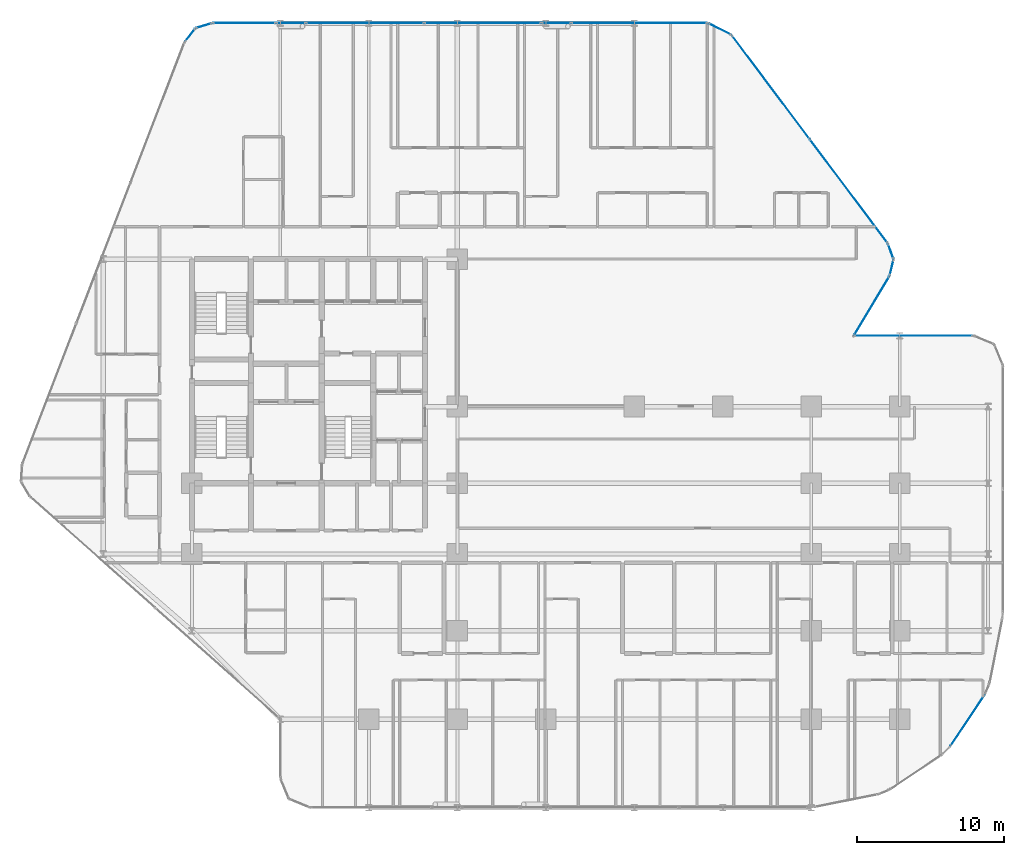
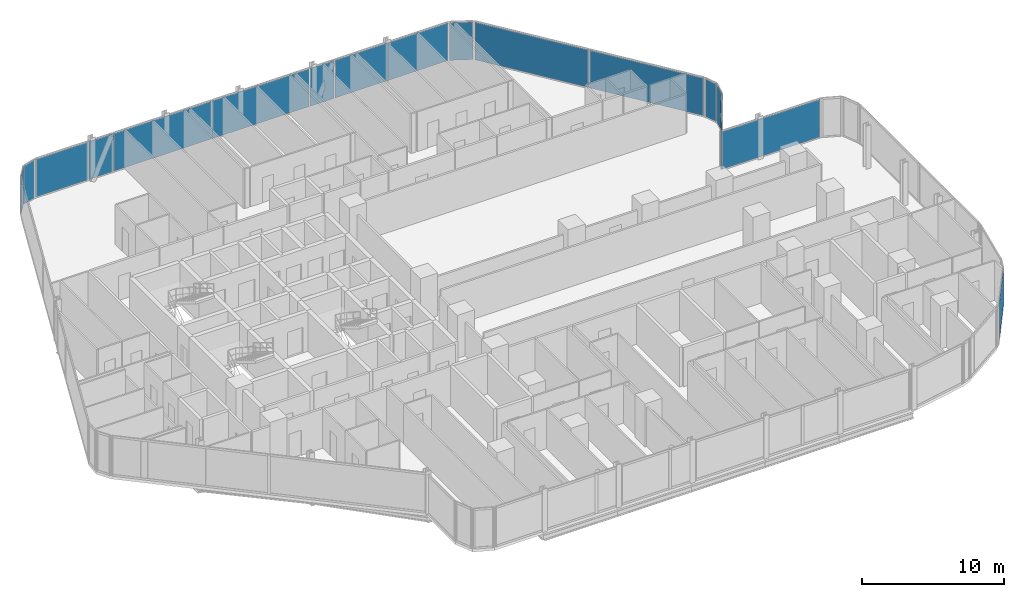
# One storey, part 24 of 33: 16 plates, 14 elements without a shape of their own.
"""IFC4 building model written with IfcOpenShell, lengths in metres."""

from ifc_helpers import new_model, si_unit, direction, frame, origin, origin_2d, place, context, subcontext, project, spatial, rectangle, extrude, material, layer, layer_set, type_object, element, aggregate, save


model = new_model("IFC4")

# Units and contexts
model_context = context("Model", 3, precision=1e-05, world=origin(), true_north=direction((0.0, 1.0)))
body_context = subcontext(model_context, "Body", "Model", "MODEL_VIEW")
ifc_project = project(units=[si_unit("LENGTHUNIT", "METRE"), si_unit("AREAUNIT", "SQUARE_METRE"), si_unit("VOLUMEUNIT", "CUBIC_METRE"), si_unit("PLANEANGLEUNIT", "RADIAN"), si_unit("MASSUNIT", "GRAM", prefix="KILO")], contexts=[model_context])

# Site, building, storey
site_placement = place(None, origin())
site = spatial("IfcSite", under=ifc_project, at=site_placement, CompositionType="ELEMENT")
building_placement = place(site_placement, origin())
building = spatial("IfcBuilding", under=site, at=building_placement, Name="Keshet Zoharim Tower", CompositionType="ELEMENT")
storey_placement = place(building_placement, frame((0.0, 0.0, 27.699951171875)))
storey = spatial("IfcBuildingStorey", under=building, at=storey_placement, Name="L05", CompositionType="ELEMENT", Elevation=27.699951171875)

# Curtain wall, plate
ifc_material_1 = material(Name="Aluminium 6063-T6", Category="aluminium")
ifc_layer_1 = layer(ifc_material_1, 0.179931640625)
ifc_layer_set_1 = layer_set([ifc_layer_1], Name="Aluminium 6063-T6")
curtain_wall_type_1 = type_object("IfcCurtainWallType", Name="CW-SYS-01", PredefinedType="NOTDEFINED", material=ifc_layer_set_1)
curtain_wall_1_placement = place(storey_placement, origin())
curtain_wall_1 = element("IfcCurtainWall", 1, at=curtain_wall_1_placement, inside=storey, type_object=curtain_wall_type_1, Name="L05 Unitised Curtain Wall 05", PredefinedType="NOTDEFINED")
ifc_material_2 = material(Name="Insulated Low-E Clear Glass", Category="glass")
ifc_layer_2 = layer(ifc_material_2, 0.035888671875)
ifc_layer_set_2 = layer_set([ifc_layer_2], Name="Insulated Low-E Clear Glass")
plate_type_1 = type_object("IfcPlateType", Name="CWP-01", PredefinedType="CURTAIN_PANEL", material=ifc_layer_set_2)
plate_1_placement = place(storey_placement, frame((14.8740234375, 53.08349609375, 0.070068359375), z_axis=(0.0, 0.0, 1.0), x_axis=(0.619124525989, 0.785292825205, 0.0)))
plate_1 = element("IfcPlate", 2, at=plate_1_placement, type_object=plate_type_1, Name="CW-01 panel 1.1", PredefinedType="CURTAIN_PANEL", context=body_context, shape_type="SweptSolid", body=[
    extrude(rectangle(XDim=1.045654296875, YDim=0.035888671875, at=origin_2d()), origin(), (0.0, 0.0, 1.0), 3.2451171875),
])
aggregate(curtain_wall_1, [plate_1])

curtain_wall_2_placement = place(storey_placement, origin())
curtain_wall_2 = element("IfcCurtainWall", 3, at=curtain_wall_2_placement, inside=storey, type_object=curtain_wall_type_1, Name="L05 Unitised Curtain Wall 06", PredefinedType="NOTDEFINED")
plate_2_placement = place(storey_placement, frame((15.8076171875, 53.724609375, 0.070068359375), z_axis=(0.0, 0.0, 1.0), x_axis=(0.955212151288, 0.295921857984, 0.0)))
plate_2 = element("IfcPlate", 4, at=plate_2_placement, type_object=plate_type_1, Name="CW-01 panel 1.1", PredefinedType="CURTAIN_PANEL", context=body_context, shape_type="SweptSolid", body=[
    extrude(rectangle(XDim=1.046142578125, YDim=0.035888671875, at=origin_2d()), origin(), (0.0, 0.0, 1.0), 3.2451171875),
])
aggregate(curtain_wall_2, [plate_2])

curtain_wall_3_placement = place(storey_placement, origin())
curtain_wall_3 = element("IfcCurtainWall", 5, at=curtain_wall_3_placement, inside=storey, type_object=curtain_wall_type_1, Name="L05 Unitised Curtain Wall 12", PredefinedType="NOTDEFINED")
plate_3_placement = place(storey_placement, frame((61.093994140625, 34.723388671875, 0.070068359375), z_axis=(0.0, 0.0, 1.0), x_axis=(-0.51446459506, -0.857511621163, 0.0)))
plate_3 = element("IfcPlate", 6, at=plate_3_placement, type_object=plate_type_1, Name="CW-01 panel 1.1", PredefinedType="CURTAIN_PANEL", context=body_context, shape_type="SweptSolid", body=[
    extrude(rectangle(XDim=4.57958984375, YDim=0.035888671875, at=origin_2d()), origin(), (0.0, 0.0, 1.0), 3.2451171875),
])
aggregate(curtain_wall_3, [plate_3])

curtain_wall_4_placement = place(storey_placement, origin())
curtain_wall_4 = element("IfcCurtainWall", 7, at=curtain_wall_4_placement, inside=storey, type_object=curtain_wall_type_1, Name="L05 Unitised Curtain Wall 20", PredefinedType="NOTDEFINED")
plate_4_placement = place(storey_placement, frame((67.60107421875, 6.615966796875, 0.070068359375), z_axis=(0.0, 0.0, 1.0), x_axis=(-0.555563243758, -0.831474282335, 0.0)))
plate_4 = element("IfcPlate", 8, at=plate_4_placement, type_object=plate_type_1, Name="CW-01 panel 1.1", PredefinedType="CURTAIN_PANEL", context=body_context, shape_type="SweptSolid", body=[
    extrude(rectangle(XDim=4.13671875, YDim=0.035888671875, at=origin_2d()), origin(), (0.0, 0.0, 1.0), 3.2451171875),
])
aggregate(curtain_wall_4, [plate_4])

ifc_layer_3 = layer(ifc_material_1, 0.169921875)
ifc_layer_set_3 = layer_set([ifc_layer_3], Name="Aluminium 6063-T6")
curtain_wall_type_2 = type_object("IfcCurtainWallType", Name="CW-SYS-02", PredefinedType="NOTDEFINED", material=ifc_layer_set_3)
curtain_wall_5_placement = place(storey_placement, origin())
curtain_wall_5 = element("IfcCurtainWall", 9, at=curtain_wall_5_placement, inside=storey, type_object=curtain_wall_type_2, Name="L05 Unitised Curtain Wall 07", PredefinedType="NOTDEFINED")
ifc_layer_4 = layer(ifc_material_2, 0.031982421875)
ifc_layer_set_4 = layer_set([ifc_layer_4], Name="Insulated Low-E Clear Glass")
plate_type_2 = type_object("IfcPlateType", Name="CWP-02", PredefinedType="CURTAIN_PANEL", material=ifc_layer_set_4)
plate_5_placement = place(storey_placement, frame((18.5556640625, 53.89990234375, 0.070068359375), z_axis=(0.0, 0.0, 1.0), x_axis=(1.0, 0.0, 0.0)))
plate_5 = element("IfcPlate", 10, at=plate_5_placement, type_object=plate_type_2, Name="CW-02 panel 1.1", PredefinedType="CURTAIN_PANEL", context=body_context, shape_type="SweptSolid", body=[
    extrude(rectangle(XDim=4.223388671875, YDim=0.031982421875, at=origin_2d()), origin(), (0.0, 0.0, 1.0), 3.2451171875),
])
aggregate(curtain_wall_5, [plate_5])

# Curtain wall, plates
curtain_wall_6_placement = place(storey_placement, origin())
curtain_wall_6 = element("IfcCurtainWall", 11, at=curtain_wall_6_placement, inside=storey, type_object=curtain_wall_type_2, Name="L05 Unitised Curtain Wall 07 Part 3", PredefinedType="NOTDEFINED")
plate_6_placement = place(storey_placement, frame((26.73876953125, 53.89990234375, 0.070068359375), z_axis=(0.0, 0.0, 1.0), x_axis=(1.0, 0.0, 0.0)))
plate_6 = element("IfcPlate", 12, at=plate_6_placement, type_object=plate_type_2, Name="CW-02 panel 1.1", PredefinedType="CURTAIN_PANEL", context=body_context, shape_type="SweptSolid", body=[
    extrude(rectangle(XDim=7.952392578125, YDim=0.031982421875, at=origin_2d()), origin(), (0.0, 0.0, 1.0), 3.2451171875),
])
plate_7_placement = place(storey_placement, frame((34.726318359375, 53.89990234375, 0.070068359375), z_axis=(0.0, 0.0, 1.0), x_axis=(1.0, 0.0, 0.0)))
plate_7 = element("IfcPlate", 13, at=plate_7_placement, type_object=plate_type_2, Name="CW-02 panel 2.1", PredefinedType="CURTAIN_PANEL", context=body_context, shape_type="SweptSolid", body=[
    extrude(rectangle(XDim=7.88232421875, YDim=0.031982421875, at=origin_2d()), origin(), (0.0, 0.0, 1.0), 3.2451171875),
])
aggregate(curtain_wall_6, [plate_6, plate_7])

# Curtain wall, plate
curtain_wall_7_placement = place(storey_placement, origin())
curtain_wall_7 = element("IfcCurtainWall", 14, at=curtain_wall_7_placement, inside=storey, type_object=curtain_wall_type_2, Name="L05 Unitised Curtain Wall 07 Part 5", PredefinedType="NOTDEFINED")
plate_8_placement = place(storey_placement, frame((45.34619140625, 53.89990234375, 0.070068359375), z_axis=(0.0, 0.0, 1.0), x_axis=(1.0, 0.0, 0.0)))
plate_8 = element("IfcPlate", 15, at=plate_8_placement, type_object=plate_type_2, Name="CW-02 panel 1.1", PredefinedType="CURTAIN_PANEL", context=body_context, shape_type="SweptSolid", body=[
    extrude(rectangle(XDim=9.16748046875, YDim=0.031982421875, at=origin_2d()), origin(), (0.0, 0.0, 1.0), 3.2451171875),
])
aggregate(curtain_wall_7, [plate_8])

curtain_wall_8_placement = place(storey_placement, origin())
curtain_wall_8 = element("IfcCurtainWall", 16, at=curtain_wall_8_placement, inside=storey, type_object=curtain_wall_type_2, Name="L05 Unitised Curtain Wall 08", PredefinedType="NOTDEFINED")
plate_9_placement = place(storey_placement, frame((50.800048828125, 53.5, 0.070068359375), z_axis=(0.0, 0.0, 1.0), x_axis=(0.894427191001, -0.447213595499, 0.0)))
plate_9 = element("IfcPlate", 17, at=plate_9_placement, type_object=plate_type_2, Name="CW-02 panel 1.1", PredefinedType="CURTAIN_PANEL", context=body_context, shape_type="SweptSolid", body=[
    extrude(rectangle(XDim=1.64892578125, YDim=0.031982421875, at=origin_2d()), origin(), (0.0, 0.0, 1.0), 3.2451171875),
])
aggregate(curtain_wall_8, [plate_9])

# Curtain wall, plates
curtain_wall_9_placement = place(storey_placement, origin())
curtain_wall_9 = element("IfcCurtainWall", 18, at=curtain_wall_9_placement, inside=storey, type_object=curtain_wall_type_2, Name="L05 Unitised Curtain Wall 09", PredefinedType="NOTDEFINED")
plate_10_placement = place(storey_placement, frame((54.2587890625, 49.554931640625, 0.070068359375), z_axis=(0.0, 0.0, 1.0), x_axis=(0.600000000002, -0.799999999998, 0.0)))
plate_10 = element("IfcPlate", 19, at=plate_10_placement, type_object=plate_type_2, Name="CW-02 panel 1.1", PredefinedType="CURTAIN_PANEL", context=body_context, shape_type="SweptSolid", body=[
    extrude(rectangle(XDim=8.722412109375, YDim=0.031982421875, at=origin_2d()), origin(), (0.0, 0.0, 1.0), 3.2451171875),
])
plate_11_placement = place(storey_placement, frame((59.5341796875, 42.52099609375, 0.070068359375), z_axis=(0.0, 0.0, 1.0), x_axis=(0.600000000002, -0.799999999998, 0.0)))
plate_11 = element("IfcPlate", 20, at=plate_11_placement, type_object=plate_type_2, Name="CW-02 panel 2.1", PredefinedType="CURTAIN_PANEL", context=body_context, shape_type="SweptSolid", body=[
    extrude(rectangle(XDim=8.722412109375, YDim=0.031982421875, at=origin_2d()), origin(), (0.0, 0.0, 1.0), 3.2451171875),
])
aggregate(curtain_wall_9, [plate_10, plate_11])

# Curtain wall, plate
curtain_wall_10_placement = place(storey_placement, origin())
curtain_wall_10 = element("IfcCurtainWall", 21, at=curtain_wall_10_placement, inside=storey, type_object=curtain_wall_type_2, Name="L05 Unitised Curtain Wall 10", PredefinedType="NOTDEFINED")
plate_12_placement = place(storey_placement, frame((62.3916015625, 38.427490234375, 0.070068359375), z_axis=(0.0, 0.0, 1.0), x_axis=(0.340297354046, -0.940317877544, 0.0)))
plate_12 = element("IfcPlate", 22, at=plate_12_placement, type_object=plate_type_2, Name="CW-02 panel 1.1", PredefinedType="CURTAIN_PANEL", context=body_context, shape_type="SweptSolid", body=[
    extrude(rectangle(XDim=1.026611328125, YDim=0.031982421875, at=origin_2d()), origin(), (0.0, 0.0, 1.0), 3.2451171875),
])
aggregate(curtain_wall_10, [plate_12])

curtain_wall_11_placement = place(storey_placement, origin())
curtain_wall_11 = element("IfcCurtainWall", 23, at=curtain_wall_11_placement, inside=storey, type_object=curtain_wall_type_2, Name="L05 Unitised Curtain Wall 11", PredefinedType="NOTDEFINED")
plate_13_placement = place(storey_placement, frame((62.448974609375, 37.31298828125, 0.070068359375), z_axis=(0.0, 0.0, 1.0), x_axis=(-0.241728770141, -0.970343857447, 0.0)))
plate_13 = element("IfcPlate", 24, at=plate_13_placement, type_object=plate_type_2, Name="CW-02 panel 1.1", PredefinedType="CURTAIN_PANEL", context=body_context, shape_type="SweptSolid", body=[
    extrude(rectangle(XDim=1.026611328125, YDim=0.031982421875, at=origin_2d()), origin(), (0.0, 0.0, 1.0), 3.2451171875),
])
aggregate(curtain_wall_11, [plate_13])

curtain_wall_12_placement = place(storey_placement, origin())
curtain_wall_12 = element("IfcCurtainWall", 25, at=curtain_wall_12_placement, inside=storey, type_object=curtain_wall_type_2, Name="L05 Unitised Curtain Wall 13", PredefinedType="NOTDEFINED")
plate_14_placement = place(storey_placement, frame((63.93994140625, 32.699951171875, 0.070068359375), z_axis=(0.0, 0.0, 1.0), x_axis=(1.0, 0.0, 0.0)))
plate_14 = element("IfcPlate", 26, at=plate_14_placement, type_object=plate_type_2, Name="CW-02 panel 1.1", PredefinedType="CURTAIN_PANEL", context=body_context, shape_type="SweptSolid", body=[
    extrude(rectangle(XDim=7.97998046875, YDim=0.031982421875, at=origin_2d()), origin(), (0.0, 0.0, 1.0), 3.2451171875),
])
aggregate(curtain_wall_12, [plate_14])

curtain_wall_13_placement = place(storey_placement, origin())
curtain_wall_13 = element("IfcCurtainWall", 27, at=curtain_wall_13_placement, inside=storey, type_object=curtain_wall_type_2, Name="L05 Unitised Curtain Wall 07 Part 2", PredefinedType="NOTDEFINED")
ifc_material_3 = material(Name="Insulated Aluminium Spandrel Panel", Category="aluminium")
ifc_layer_5 = layer(ifc_material_3, 0.031982421875)
ifc_layer_set_5 = layer_set([ifc_layer_5], Name="Insulated Aluminium Spandrel Panel")
plate_type_3 = type_object("IfcPlateType", Name="CWP-05", PredefinedType="CURTAIN_PANEL", material=ifc_layer_set_5)
plate_15_placement = place(storey_placement, frame((21.715087890625, 53.89990234375, 0.070068359375), z_axis=(0.0, 0.0, 1.0), x_axis=(1.0, 0.0, 0.0)))
plate_15 = element("IfcPlate", 28, at=plate_15_placement, type_object=plate_type_3, Name="CW-02 spandrel panel 1.1", PredefinedType="CURTAIN_PANEL", context=body_context, shape_type="SweptSolid", body=[
    extrude(rectangle(XDim=1.955078125, YDim=0.031982421875, at=origin_2d()), origin(), (0.0, 0.0, 1.0), 3.2451171875),
])
aggregate(curtain_wall_13, [plate_15])

curtain_wall_14_placement = place(storey_placement, origin())
curtain_wall_14 = element("IfcCurtainWall", 29, at=curtain_wall_14_placement, inside=storey, type_object=curtain_wall_type_2, Name="L05 Unitised Curtain Wall 07 Part 4", PredefinedType="NOTDEFINED")
plate_16_placement = place(storey_placement, frame((39.715087890625, 53.89990234375, 0.070068359375), z_axis=(0.0, 0.0, 1.0), x_axis=(1.0, 0.0, 0.0)))
plate_16 = element("IfcPlate", 30, at=plate_16_placement, type_object=plate_type_3, Name="CW-02 spandrel panel 1.1", PredefinedType="CURTAIN_PANEL", context=body_context, shape_type="SweptSolid", body=[
    extrude(rectangle(XDim=1.955078125, YDim=0.031982421875, at=origin_2d()), origin(), (0.0, 0.0, 1.0), 3.2451171875),
])
aggregate(curtain_wall_14, [plate_16])

save(model, "model.ifc")
